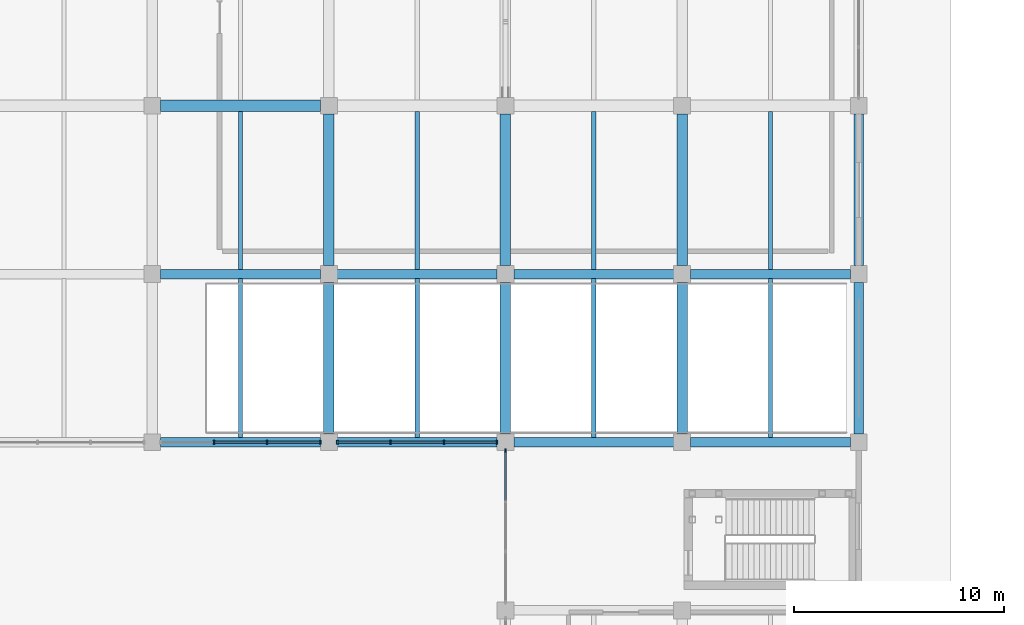
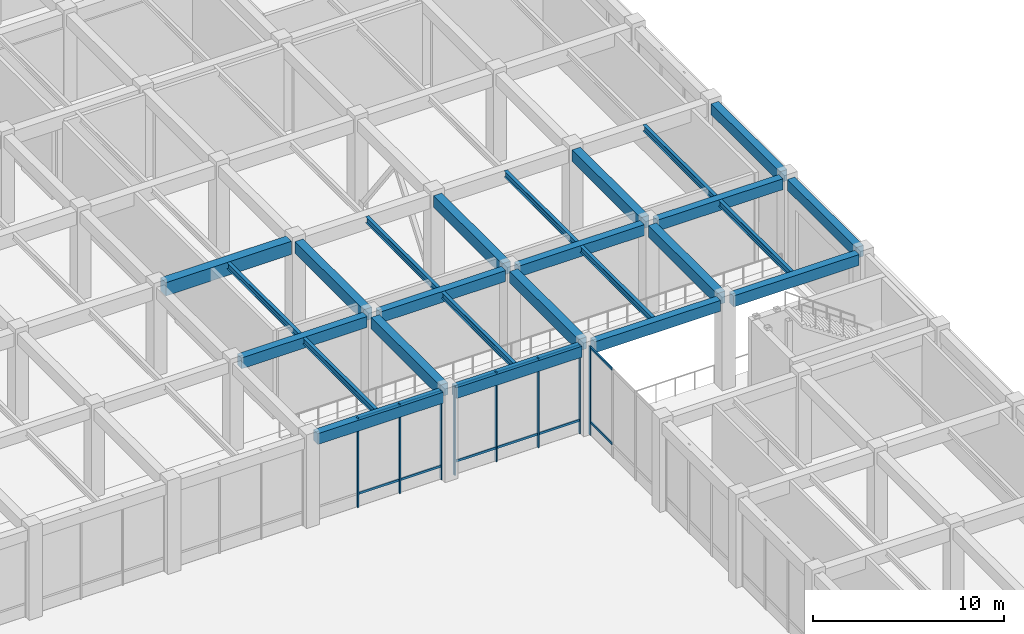
# One storey, part 34 of 76: 25 beams, 20 members, 3 elements without a shape of their own.
"""IFC4 building model written with IfcOpenShell, lengths in metres."""

from ifc_helpers import new_model, si_unit, direction, frame, origin, origin_2d, place, context, subcontext, project, spatial, rectangle, i_section, extrude, material, layer, layer_set, material_profile, profile_set, type_object, element, aggregate, save


model = new_model("IFC4")

# Units and contexts
model_context = context("Model", 3, precision=1e-05, world=origin(), true_north=direction((0.0, 1.0)))
body_context = subcontext(model_context, "Body", "Model", "MODEL_VIEW")
ifc_project = project(units=[si_unit("LENGTHUNIT", "METRE"), si_unit("AREAUNIT", "SQUARE_METRE"), si_unit("VOLUMEUNIT", "CUBIC_METRE"), si_unit("PLANEANGLEUNIT", "RADIAN"), si_unit("MASSUNIT", "GRAM", prefix="KILO")], contexts=[model_context])

# Site, building, storey
site_placement = place(None, origin())
site = spatial("IfcSite", under=ifc_project, at=site_placement, CompositionType="ELEMENT")
building_placement = place(site_placement, origin())
building = spatial("IfcBuilding", under=site, at=building_placement, Name="Naruveol Harbour Congress Hotel", CompositionType="ELEMENT")
storey_placement = place(building_placement, origin())
storey = spatial("IfcBuildingStorey", under=building, at=storey_placement, Name="L00", CompositionType="ELEMENT", Elevation=0.0)

# Beams
ifc_material_1 = material(Name="Concrete C40/50", Category="concrete")
ifc_material_profile_1 = material_profile(ifc_material_1, rectangle(XDim=0.5, YDim=0.75, at=origin_2d()), Name="RCB-500x750")
ifc_profile_set_1 = profile_set([ifc_material_profile_1], Name="Concrete C40/50")
beam_type_1 = type_object("IfcBeamType", Name="RC FLOOR GIRDER 500X750", PredefinedType="BEAM", material=ifc_profile_set_1)
for number, where, z_axis, x_axis, name in (
    (1, (100.800048828125, 64.39599609375, 5.324951171875), (0.0, 1.0, 0.0), (-1.0, 0.0, 0.0), "Transverse girder L01 CB3"),
    (2, (100.800048828125, 72.39599609375, 5.324951171875), (0.0, 1.0, 0.0), (-1.0, 0.0, 0.0), "Transverse girder L01 CB3"),
    (3, (109.199951171875, 64.39599609375, 5.324951171875), (0.0, 1.0, 0.0), (-1.0, 0.0, 0.0), "Transverse girder L01 CB3"),
    (4, (109.199951171875, 72.39599609375, 5.324951171875), (0.0, 1.0, 0.0), (-1.0, 0.0, 0.0), "Transverse girder L01 CB3"),
    (5, (117.60009765625, 64.39599609375, 5.324951171875), (0.0, 1.0, 0.0), (-1.0, 0.0, 0.0), "Transverse girder L01 CB3"),
    (6, (117.60009765625, 72.39599609375, 5.324951171875), (0.0, 1.0, 0.0), (-1.0, 0.0, 0.0), "Transverse girder L01 CB3"),
):
    element("IfcBeam", number, at=place(storey_placement, frame(where, z_axis=z_axis, x_axis=x_axis)), inside=storey, type_object=beam_type_1, Name=name, PredefinedType="BEAM", context=body_context, shape_type="SweptSolid", body=[
        extrude(rectangle(XDim=0.5, YDim=0.75, at=origin_2d()), origin(), (0.0, 0.0, 1.0), 7.2080078125),
    ])
ifc_material_2 = material(Name="Concrete C40/50", Category="concrete")
ifc_material_profile_2 = material_profile(ifc_material_2, rectangle(XDim=0.550048828125, YDim=0.85009765625, at=origin_2d()), Name="RCB-550x850")
ifc_profile_set_2 = profile_set([ifc_material_profile_2], Name="Concrete C40/50")
beam_type_2 = type_object("IfcBeamType", Name="RC PRIMARY GIRDER 550X850", PredefinedType="BEAM", material=ifc_profile_set_2)
beam_1_placement = place(storey_placement, frame((92.7958984375, 80.0, 5.27490234375), z_axis=(1.0, 0.0, 0.0), x_axis=(0.0, 1.0, 0.0)))
element("IfcBeam", 7, at=beam_1_placement, inside=storey, type_object=beam_type_2, Name="Floor girder L01 CB2", PredefinedType="BEAM", context=body_context, shape_type="SweptSolid", body=[
    extrude(rectangle(XDim=0.550048828125, YDim=0.85009765625, at=origin_2d()), origin(), (0.0, 0.0, 1.0), 7.608154296875),
])
ifc_material_3 = material(Name="Concrete C40/50", Category="concrete")
ifc_material_profile_3 = material_profile(ifc_material_3, rectangle(XDim=0.449951171875, YDim=0.699951171875, at=origin_2d()), Name="RCB-450x700")
ifc_profile_set_3 = profile_set([ifc_material_profile_3], Name="Concrete C40/50")
beam_type_3 = type_object("IfcBeamType", Name="RC SPANDREL BEAM 450X700", PredefinedType="SPANDREL", material=ifc_profile_set_3)
beam_2_placement = place(storey_placement, frame((92.7958984375, 64.0, 5.35009765625), z_axis=(1.0, 0.0, 0.0), x_axis=(0.0, 1.0, 0.0)))
element("IfcBeam", 8, at=beam_2_placement, inside=storey, type_object=beam_type_3, Name="Floor girder L01 SPB1", PredefinedType="SPANDREL", context=body_context, shape_type="SweptSolid", body=[
    extrude(rectangle(XDim=0.449951171875, YDim=0.699951171875, at=origin_2d()), origin(), (0.0, 0.0, 1.0), 7.608154296875),
])
beam_3_placement = place(storey_placement, frame((101.196044921875, 64.0, 5.35009765625), z_axis=(1.0, 0.0, 0.0), x_axis=(0.0, 1.0, 0.0)))
element("IfcBeam", 9, at=beam_3_placement, inside=storey, type_object=beam_type_3, Name="Floor girder L01 SPB1", PredefinedType="SPANDREL", context=body_context, shape_type="SweptSolid", body=[
    extrude(rectangle(XDim=0.449951171875, YDim=0.699951171875, at=origin_2d()), origin(), (0.0, 0.0, 1.0), 7.60791015625),
])
beam_4_placement = place(storey_placement, frame((109.595947265625, 64.0, 5.35009765625), z_axis=(1.0, 0.0, 0.0), x_axis=(0.0, 1.0, 0.0)))
element("IfcBeam", 10, at=beam_4_placement, inside=storey, type_object=beam_type_3, Name="Floor girder L01 SPB1", PredefinedType="SPANDREL", context=body_context, shape_type="SweptSolid", body=[
    extrude(rectangle(XDim=0.449951171875, YDim=0.699951171875, at=origin_2d()), origin(), (0.0, 0.0, 1.0), 7.608154296875),
])
beam_5_placement = place(storey_placement, frame((117.99609375, 64.0, 5.35009765625), z_axis=(1.0, 0.0, 0.0), x_axis=(0.0, 1.0, 0.0)))
element("IfcBeam", 11, at=beam_5_placement, inside=storey, type_object=beam_type_3, Name="Floor girder L01 SPB1", PredefinedType="SPANDREL", context=body_context, shape_type="SweptSolid", body=[
    extrude(rectangle(XDim=0.449951171875, YDim=0.699951171875, at=origin_2d()), origin(), (0.0, 0.0, 1.0), 7.60791015625),
])
beam_6_placement = place(storey_placement, frame((92.7958984375, 72.0, 5.35009765625), z_axis=(1.0, 0.0, 0.0), x_axis=(0.0, 1.0, 0.0)))
element("IfcBeam", 12, at=beam_6_placement, inside=storey, type_object=beam_type_3, Name="Floor girder L01 SPB1", PredefinedType="SPANDREL", context=body_context, shape_type="SweptSolid", body=[
    extrude(rectangle(XDim=0.449951171875, YDim=0.699951171875, at=origin_2d()), origin(), (0.0, 0.0, 1.0), 7.608154296875),
])
beam_7_placement = place(storey_placement, frame((101.196044921875, 72.0, 5.35009765625), z_axis=(1.0, 0.0, 0.0), x_axis=(0.0, 1.0, 0.0)))
element("IfcBeam", 13, at=beam_7_placement, inside=storey, type_object=beam_type_3, Name="Floor girder L01 SPB1", PredefinedType="SPANDREL", context=body_context, shape_type="SweptSolid", body=[
    extrude(rectangle(XDim=0.449951171875, YDim=0.699951171875, at=origin_2d()), origin(), (0.0, 0.0, 1.0), 7.60791015625),
])
beam_8_placement = place(storey_placement, frame((109.595947265625, 72.0, 5.35009765625), z_axis=(1.0, 0.0, 0.0), x_axis=(0.0, 1.0, 0.0)))
element("IfcBeam", 14, at=beam_8_placement, inside=storey, type_object=beam_type_3, Name="Floor girder L01 SPB1", PredefinedType="SPANDREL", context=body_context, shape_type="SweptSolid", body=[
    extrude(rectangle(XDim=0.449951171875, YDim=0.699951171875, at=origin_2d()), origin(), (0.0, 0.0, 1.0), 7.608154296875),
])
beam_9_placement = place(storey_placement, frame((117.99609375, 72.0, 5.35009765625), z_axis=(1.0, 0.0, 0.0), x_axis=(0.0, 1.0, 0.0)))
element("IfcBeam", 15, at=beam_9_placement, inside=storey, type_object=beam_type_3, Name="Floor girder L01 SPB1", PredefinedType="SPANDREL", context=body_context, shape_type="SweptSolid", body=[
    extrude(rectangle(XDim=0.449951171875, YDim=0.699951171875, at=origin_2d()), origin(), (0.0, 0.0, 1.0), 7.60791015625),
])
for number, where, z_axis, x_axis, name in (
    (16, (126.0, 64.39599609375, 5.35009765625), (0.0, 1.0, 0.0), (-1.0, 0.0, 0.0), "Transverse girder L01 SPB1"),
    (17, (126.0, 72.39599609375, 5.35009765625), (0.0, 1.0, 0.0), (-1.0, 0.0, 0.0), "Transverse girder L01 SPB1"),
):
    element("IfcBeam", number, at=place(storey_placement, frame(where, z_axis=z_axis, x_axis=x_axis)), inside=storey, type_object=beam_type_3, Name=name, PredefinedType="SPANDREL", context=body_context, shape_type="SweptSolid", body=[
        extrude(rectangle(XDim=0.449951171875, YDim=0.699951171875, at=origin_2d()), origin(), (0.0, 0.0, 1.0), 7.2080078125),
    ])
ifc_material_4 = material(Name="Steel SN490", Category="steel")
ifc_material_profile_4 = material_profile(ifc_material_4, i_section(OverallWidth=0.199951171875, OverallDepth=0.39990234375, WebThickness=0.008056640625, FlangeThickness=0.012939453125, at=origin_2d()), Name="H-400x200x8x13")
ifc_profile_set_4 = profile_set([ifc_material_profile_4], Name="Steel SN490")
beam_type_4 = type_object("IfcBeamType", Name="STEEL SECONDARY JOIST H400", PredefinedType="JOIST", material=ifc_profile_set_4)
for number, where, z_axis, x_axis, name in (
    (18, (96.60009765625, 64.220947265625, 5.5), (0.0, 1.0, 0.0), (-1.0, 0.0, 0.0), "Secondary floor joist L01 SJ1"),
    (19, (105.0, 64.220947265625, 5.5), (0.0, 1.0, 0.0), (-1.0, 0.0, 0.0), "Secondary floor joist L01 SJ1"),
    (20, (113.39990234375, 64.220947265625, 5.5), (0.0, 1.0, 0.0), (-1.0, 0.0, 0.0), "Secondary floor joist L01 SJ1"),
    (21, (121.800048828125, 64.220947265625, 5.5), (0.0, 1.0, 0.0), (-1.0, 0.0, 0.0), "Secondary floor joist L01 SJ1"),
):
    element("IfcBeam", number, at=place(storey_placement, frame(where, z_axis=z_axis, x_axis=x_axis)), inside=storey, type_object=beam_type_4, Name=name, PredefinedType="JOIST", context=body_context, shape_type="SweptSolid", body=[
        extrude(i_section(OverallWidth=0.199951171875, OverallDepth=0.39990234375, WebThickness=0.008056640625, FlangeThickness=0.012939453125, at=origin_2d()), origin(), (0.0, 0.0, 1.0), 7.55810546875),
    ])
for number, where, z_axis, x_axis, name in (
    (22, (96.60009765625, 72.220947265625, 5.5), (0.0, 1.0, 0.0), (-1.0, 0.0, 0.0), "Secondary floor joist L01 SJ1"),
    (23, (105.0, 72.220947265625, 5.5), (0.0, 1.0, 0.0), (-1.0, 0.0, 0.0), "Secondary floor joist L01 SJ1"),
    (24, (113.39990234375, 72.220947265625, 5.5), (0.0, 1.0, 0.0), (-1.0, 0.0, 0.0), "Secondary floor joist L01 SJ1"),
    (25, (121.800048828125, 72.220947265625, 5.5), (0.0, 1.0, 0.0), (-1.0, 0.0, 0.0), "Secondary floor joist L01 SJ1"),
):
    element("IfcBeam", number, at=place(storey_placement, frame(where, z_axis=z_axis, x_axis=x_axis)), inside=storey, type_object=beam_type_4, Name=name, PredefinedType="JOIST", context=body_context, shape_type="SweptSolid", body=[
        extrude(i_section(OverallWidth=0.199951171875, OverallDepth=0.39990234375, WebThickness=0.008056640625, FlangeThickness=0.012939453125, at=origin_2d()), origin(), (0.0, 0.0, 1.0), 7.508056640625),
    ])

# Curtain wall, members
ifc_material_5 = material(Name="Low-E Curtain Wall System", Category="glass")
ifc_layer_1 = layer(ifc_material_5, 0.179931640625)
ifc_layer_set_1 = layer_set([ifc_layer_1], Name="Low-E Curtain Wall System")
curtain_wall_type_1 = type_object("IfcCurtainWallType", Name="UNITISED CURTAIN WALL CW-CTN-26 7600X5700", PredefinedType="USERDEFINED", material=ifc_layer_set_1)
curtain_wall_1_placement = place(storey_placement, origin())
curtain_wall_1 = element("IfcCurtainWall", 26, at=curtain_wall_1_placement, inside=storey, type_object=curtain_wall_type_1, Name="Unitised curtain wall CW-CTN-26 L00", ObjectType="UNITISED GLAZING", PredefinedType="USERDEFINED")
ifc_material_6 = material(Name="Anodised Aluminium 6063-T6", Category="aluminium")
ifc_material_profile_5 = material_profile(ifc_material_6, rectangle(XDim=0.074951171875, YDim=0.179931640625, at=origin_2d()), Name="ALU-75x180")
ifc_profile_set_5 = profile_set([ifc_material_profile_5], Name="Anodised Aluminium 6063-T6")
member_type_1 = type_object("IfcMemberType", Name="THERMAL ALUMINIUM MULLION 75X180", PredefinedType="MULLION", material=ifc_profile_set_5)
member_1_placement = place(storey_placement, frame((100.39990234375, 64.0, 0.0), z_axis=(0.0, 0.0, 1.0), x_axis=(1.0, 0.0, 0.0)))
member_1 = element("IfcMember", 27, at=member_1_placement, type_object=member_type_1, Name="Curtain wall mullion CW-L00-0059-M0", PredefinedType="MULLION", context=body_context, shape_type="SweptSolid", body=[
    extrude(rectangle(XDim=0.074951171875, YDim=0.179931640625, at=origin_2d()), origin(), (0.0, 0.0, 1.0), 5.699951171875),
])
member_2_placement = place(storey_placement, frame((97.86669921875, 64.0, 0.0), z_axis=(0.0, 0.0, 1.0), x_axis=(1.0, 0.0, 0.0)))
member_2 = element("IfcMember", 28, at=member_2_placement, type_object=member_type_1, Name="Curtain wall mullion CW-L00-0059-M1", PredefinedType="MULLION", context=body_context, shape_type="SweptSolid", body=[
    extrude(rectangle(XDim=0.074951171875, YDim=0.179931640625, at=origin_2d()), origin(), (0.0, 0.0, 1.0), 5.699951171875),
])
member_3_placement = place(storey_placement, frame((95.333251953125, 64.0, 0.0), z_axis=(0.0, 0.0, 1.0), x_axis=(1.0, 0.0, 0.0)))
member_3 = element("IfcMember", 29, at=member_3_placement, type_object=member_type_1, Name="Curtain wall mullion CW-L00-0059-M2", PredefinedType="MULLION", context=body_context, shape_type="SweptSolid", body=[
    extrude(rectangle(XDim=0.074951171875, YDim=0.179931640625, at=origin_2d()), origin(), (0.0, 0.0, 1.0), 5.699951171875),
])

curtain_wall_2_placement = place(storey_placement, origin())
curtain_wall_2 = element("IfcCurtainWall", 30, at=curtain_wall_2_placement, inside=storey, type_object=curtain_wall_type_1, Name="Unitised curtain wall CW-CTN-26 L00", ObjectType="UNITISED GLAZING", PredefinedType="USERDEFINED")
member_4_placement = place(storey_placement, frame((108.800048828125, 64.0, 0.0), z_axis=(0.0, 0.0, 1.0), x_axis=(1.0, 0.0, 0.0)))
member_4 = element("IfcMember", 31, at=member_4_placement, type_object=member_type_1, Name="Curtain wall mullion CW-L00-0061-M0", PredefinedType="MULLION", context=body_context, shape_type="SweptSolid", body=[
    extrude(rectangle(XDim=0.074951171875, YDim=0.179931640625, at=origin_2d()), origin(), (0.0, 0.0, 1.0), 5.699951171875),
])
member_5_placement = place(storey_placement, frame((106.2666015625, 64.0, 0.0), z_axis=(0.0, 0.0, 1.0), x_axis=(1.0, 0.0, 0.0)))
member_5 = element("IfcMember", 32, at=member_5_placement, type_object=member_type_1, Name="Curtain wall mullion CW-L00-0061-M1", PredefinedType="MULLION", context=body_context, shape_type="SweptSolid", body=[
    extrude(rectangle(XDim=0.074951171875, YDim=0.179931640625, at=origin_2d()), origin(), (0.0, 0.0, 1.0), 5.699951171875),
])
member_6_placement = place(storey_placement, frame((103.7333984375, 64.0, 0.0), z_axis=(0.0, 0.0, 1.0), x_axis=(1.0, 0.0, 0.0)))
member_6 = element("IfcMember", 33, at=member_6_placement, type_object=member_type_1, Name="Curtain wall mullion CW-L00-0061-M2", PredefinedType="MULLION", context=body_context, shape_type="SweptSolid", body=[
    extrude(rectangle(XDim=0.074951171875, YDim=0.179931640625, at=origin_2d()), origin(), (0.0, 0.0, 1.0), 5.699951171875),
])
member_7_placement = place(storey_placement, frame((101.199951171875, 64.0, 0.0), z_axis=(0.0, 0.0, 1.0), x_axis=(1.0, 0.0, 0.0)))
member_7 = element("IfcMember", 34, at=member_7_placement, type_object=member_type_1, Name="Curtain wall mullion CW-L00-0061-M3", PredefinedType="MULLION", context=body_context, shape_type="SweptSolid", body=[
    extrude(rectangle(XDim=0.074951171875, YDim=0.179931640625, at=origin_2d()), origin(), (0.0, 0.0, 1.0), 5.699951171875),
])

# Curtain wall, member
ifc_material_7 = material(Name="Low-E Curtain Wall System", Category="glass")
ifc_layer_2 = layer(ifc_material_7, 0.179931640625)
ifc_layer_set_2 = layer_set([ifc_layer_2], Name="Low-E Curtain Wall System")
curtain_wall_type_2 = type_object("IfcCurtainWallType", Name="UNITISED CURTAIN WALL CW-CTE-29 7200X5700", PredefinedType="USERDEFINED", material=ifc_layer_set_2)
curtain_wall_3_placement = place(storey_placement, origin())
curtain_wall_3 = element("IfcCurtainWall", 35, at=curtain_wall_3_placement, inside=storey, type_object=curtain_wall_type_2, Name="Unitised curtain wall CW-CTE-29 L00", ObjectType="UNITISED GLAZING", PredefinedType="USERDEFINED")
member_8_placement = place(storey_placement, frame((109.199951171875, 63.60009765625, 0.0), z_axis=(0.0, 0.0, 1.0), x_axis=(1.0, 0.0, 0.0)))
member_8 = element("IfcMember", 36, at=member_8_placement, type_object=member_type_1, Name="Curtain wall mullion CW-L00-0070-M0", PredefinedType="MULLION", context=body_context, shape_type="SweptSolid", body=[
    extrude(rectangle(XDim=0.074951171875, YDim=0.179931640625, at=origin_2d()), origin(), (0.0, 0.0, 1.0), 5.699951171875),
])

# Member
ifc_material_8 = material(Name="Anodised Aluminium 6063-T6", Category="aluminium")
ifc_material_profile_6 = material_profile(ifc_material_8, rectangle(XDim=0.074951171875, YDim=0.14990234375, at=origin_2d()), Name="ALU-75x150")
ifc_profile_set_6 = profile_set([ifc_material_profile_6], Name="Anodised Aluminium 6063-T6")
member_type_2 = type_object("IfcMemberType", Name="THERMAL ALUMINIUM TRANSOM 75X150", PredefinedType="USERDEFINED", material=ifc_profile_set_6)
member_9_placement = place(storey_placement, frame((100.360107421875, 64.0, 0.85009765625), z_axis=(-1.0, 0.0, 0.0), x_axis=(0.0, -1.0, 0.0)))
member_9 = element("IfcMember", 37, at=member_9_placement, type_object=member_type_2, Name="Curtain wall transom CW-L00-0059-T0.1", ObjectType="TRANSOM", PredefinedType="USERDEFINED", context=body_context, shape_type="SweptSolid", body=[
    extrude(rectangle(XDim=0.074951171875, YDim=0.14990234375, at=origin_2d()), origin(), (0.0, 0.0, 1.0), 2.453369140625),
])

member_10_placement = place(storey_placement, frame((100.360107421875, 64.0, 5.6201171875), z_axis=(-1.0, 0.0, 0.0), x_axis=(0.0, -1.0, 0.0)))
member_10 = element("IfcMember", 38, at=member_10_placement, type_object=member_type_2, Name="Curtain wall transom CW-L00-0059-T0.2", ObjectType="TRANSOM", PredefinedType="USERDEFINED", context=body_context, shape_type="SweptSolid", body=[
    extrude(rectangle(XDim=0.074951171875, YDim=0.14990234375, at=origin_2d()), origin(), (0.0, 0.0, 1.0), 2.453369140625),
])

member_11_placement = place(storey_placement, frame((97.82666015625, 64.0, 0.85009765625), z_axis=(-1.0, 0.0, 0.0), x_axis=(0.0, -1.0, 0.0)))
member_11 = element("IfcMember", 39, at=member_11_placement, type_object=member_type_2, Name="Curtain wall transom CW-L00-0059-T1.1", ObjectType="TRANSOM", PredefinedType="USERDEFINED", context=body_context, shape_type="SweptSolid", body=[
    extrude(rectangle(XDim=0.074951171875, YDim=0.14990234375, at=origin_2d()), origin(), (0.0, 0.0, 1.0), 2.453369140625),
])

member_12_placement = place(storey_placement, frame((97.82666015625, 64.0, 5.6201171875), z_axis=(-1.0, 0.0, 0.0), x_axis=(0.0, -1.0, 0.0)))
member_12 = element("IfcMember", 40, at=member_12_placement, type_object=member_type_2, Name="Curtain wall transom CW-L00-0059-T1.2", ObjectType="TRANSOM", PredefinedType="USERDEFINED", context=body_context, shape_type="SweptSolid", body=[
    extrude(rectangle(XDim=0.074951171875, YDim=0.14990234375, at=origin_2d()), origin(), (0.0, 0.0, 1.0), 2.453369140625),
])

aggregate(curtain_wall_1, [member_1, member_2, member_3, member_9, member_10, member_11, member_12])

member_13_placement = place(storey_placement, frame((108.760009765625, 64.0, 0.85009765625), z_axis=(-1.0, 0.0, 0.0), x_axis=(0.0, -1.0, 0.0)))
member_13 = element("IfcMember", 41, at=member_13_placement, type_object=member_type_2, Name="Curtain wall transom CW-L00-0061-T0.1", ObjectType="TRANSOM", PredefinedType="USERDEFINED", context=body_context, shape_type="SweptSolid", body=[
    extrude(rectangle(XDim=0.074951171875, YDim=0.14990234375, at=origin_2d()), origin(), (0.0, 0.0, 1.0), 2.453369140625),
])

member_14_placement = place(storey_placement, frame((108.760009765625, 64.0, 5.6201171875), z_axis=(-1.0, 0.0, 0.0), x_axis=(0.0, -1.0, 0.0)))
member_14 = element("IfcMember", 42, at=member_14_placement, type_object=member_type_2, Name="Curtain wall transom CW-L00-0061-T0.2", ObjectType="TRANSOM", PredefinedType="USERDEFINED", context=body_context, shape_type="SweptSolid", body=[
    extrude(rectangle(XDim=0.074951171875, YDim=0.14990234375, at=origin_2d()), origin(), (0.0, 0.0, 1.0), 2.453369140625),
])

member_15_placement = place(storey_placement, frame((106.226806640625, 64.0, 0.85009765625), z_axis=(-1.0, 0.0, 0.0), x_axis=(0.0, -1.0, 0.0)))
member_15 = element("IfcMember", 43, at=member_15_placement, type_object=member_type_2, Name="Curtain wall transom CW-L00-0061-T1.1", ObjectType="TRANSOM", PredefinedType="USERDEFINED", context=body_context, shape_type="SweptSolid", body=[
    extrude(rectangle(XDim=0.074951171875, YDim=0.14990234375, at=origin_2d()), origin(), (0.0, 0.0, 1.0), 2.45361328125),
])

member_16_placement = place(storey_placement, frame((106.226806640625, 64.0, 5.6201171875), z_axis=(-1.0, 0.0, 0.0), x_axis=(0.0, -1.0, 0.0)))
member_16 = element("IfcMember", 44, at=member_16_placement, type_object=member_type_2, Name="Curtain wall transom CW-L00-0061-T1.2", ObjectType="TRANSOM", PredefinedType="USERDEFINED", context=body_context, shape_type="SweptSolid", body=[
    extrude(rectangle(XDim=0.074951171875, YDim=0.14990234375, at=origin_2d()), origin(), (0.0, 0.0, 1.0), 2.45361328125),
])

member_17_placement = place(storey_placement, frame((103.693359375, 64.0, 0.85009765625), z_axis=(-1.0, 0.0, 0.0), x_axis=(0.0, -1.0, 0.0)))
member_17 = element("IfcMember", 45, at=member_17_placement, type_object=member_type_2, Name="Curtain wall transom CW-L00-0061-T2.1", ObjectType="TRANSOM", PredefinedType="USERDEFINED", context=body_context, shape_type="SweptSolid", body=[
    extrude(rectangle(XDim=0.074951171875, YDim=0.14990234375, at=origin_2d()), origin(), (0.0, 0.0, 1.0), 2.453369140625),
])

member_18_placement = place(storey_placement, frame((103.693359375, 64.0, 5.6201171875), z_axis=(-1.0, 0.0, 0.0), x_axis=(0.0, -1.0, 0.0)))
member_18 = element("IfcMember", 46, at=member_18_placement, type_object=member_type_2, Name="Curtain wall transom CW-L00-0061-T2.2", ObjectType="TRANSOM", PredefinedType="USERDEFINED", context=body_context, shape_type="SweptSolid", body=[
    extrude(rectangle(XDim=0.074951171875, YDim=0.14990234375, at=origin_2d()), origin(), (0.0, 0.0, 1.0), 2.453369140625),
])

aggregate(curtain_wall_2, [member_4, member_5, member_6, member_7, member_13, member_14, member_15, member_16, member_17, member_18])

member_19_placement = place(storey_placement, frame((109.199951171875, 63.56005859375, 0.85009765625), z_axis=(0.0, -1.0, 0.0), x_axis=(1.0, 0.0, 0.0)))
member_19 = element("IfcMember", 47, at=member_19_placement, type_object=member_type_2, Name="Curtain wall transom CW-L00-0070-T0.1", ObjectType="TRANSOM", PredefinedType="USERDEFINED", context=body_context, shape_type="SweptSolid", body=[
    extrude(rectangle(XDim=0.074951171875, YDim=0.14990234375, at=origin_2d()), origin(), (0.0, 0.0, 1.0), 2.320068359375),
])

member_20_placement = place(storey_placement, frame((109.199951171875, 63.56005859375, 5.6201171875), z_axis=(0.0, -1.0, 0.0), x_axis=(1.0, 0.0, 0.0)))
member_20 = element("IfcMember", 48, at=member_20_placement, type_object=member_type_2, Name="Curtain wall transom CW-L00-0070-T0.2", ObjectType="TRANSOM", PredefinedType="USERDEFINED", context=body_context, shape_type="SweptSolid", body=[
    extrude(rectangle(XDim=0.074951171875, YDim=0.14990234375, at=origin_2d()), origin(), (0.0, 0.0, 1.0), 2.320068359375),
])

aggregate(curtain_wall_3, [member_8, member_19, member_20])

save(model, "model.ifc")
